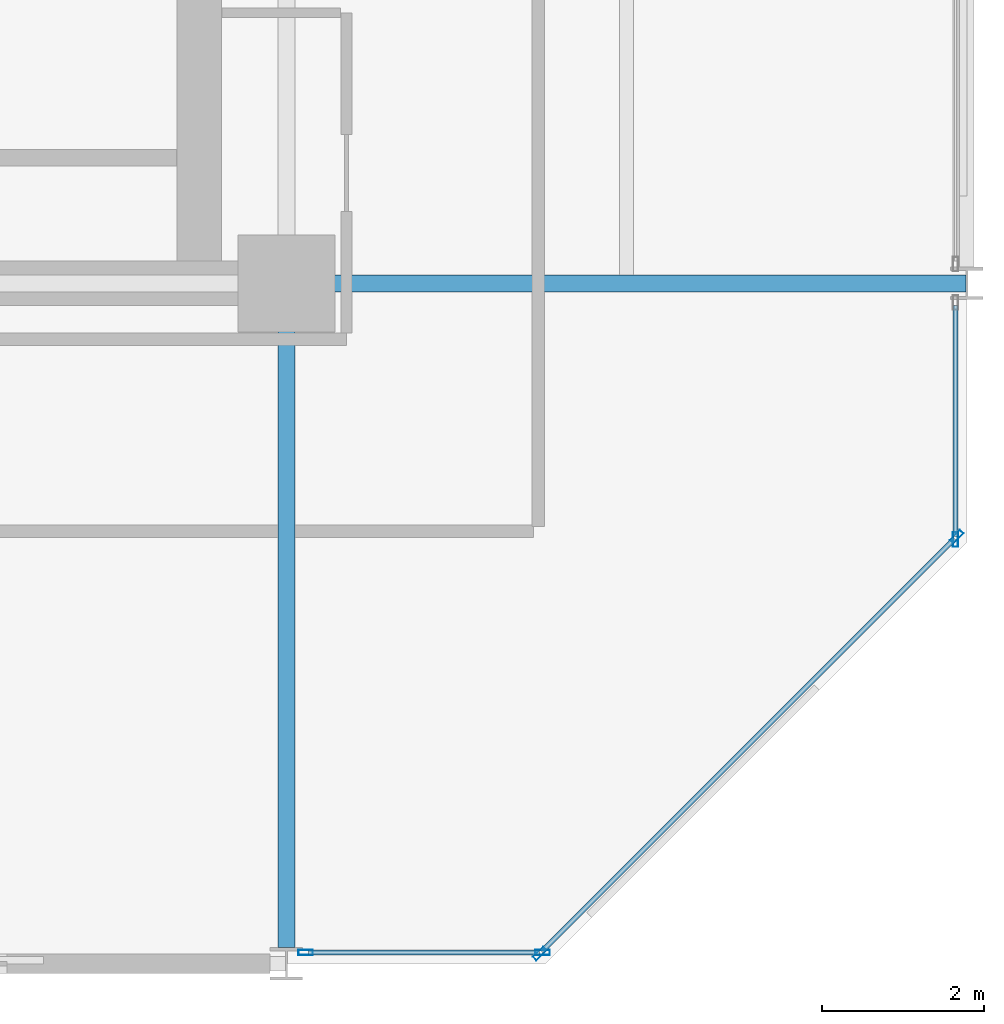
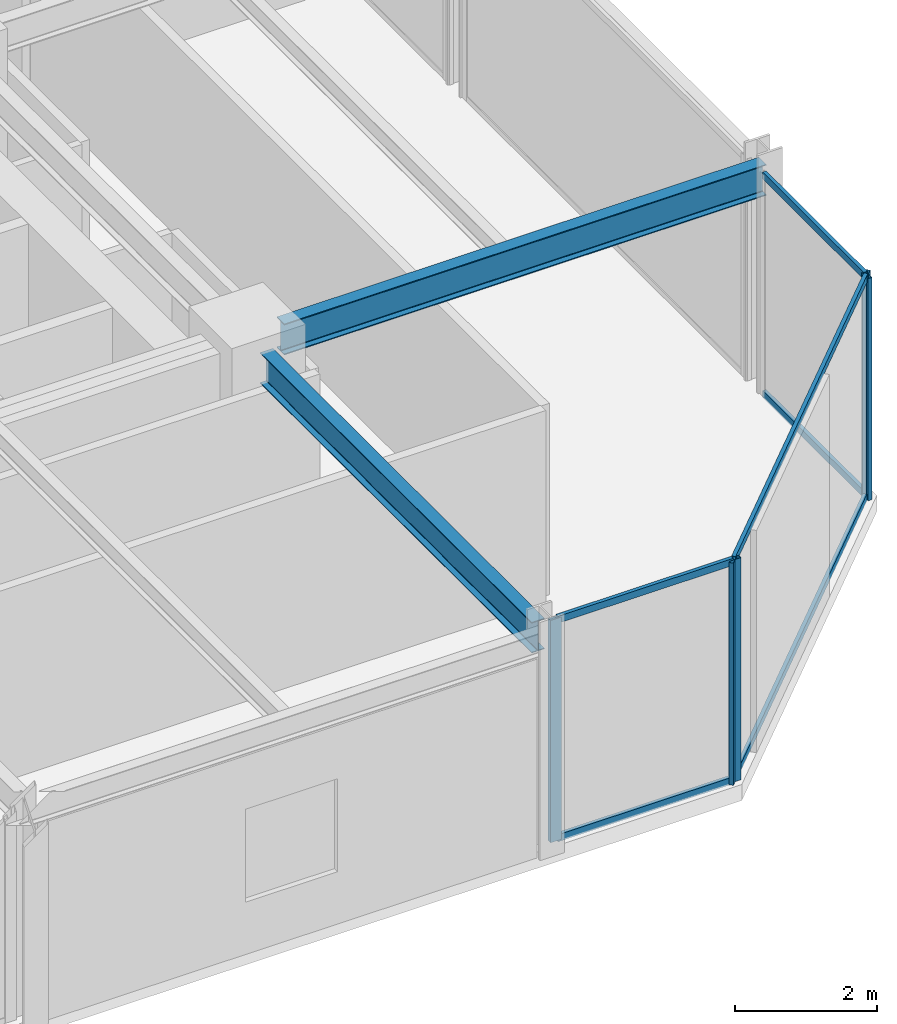
# One storey, part 13 of 29: 11 members, 2 beams, 3 elements without a shape of their own.
"""IFC4 building model written with IfcOpenShell, lengths in metres."""

from ifc_helpers import new_model, si_unit, direction, frame, origin, origin_2d, place, context, subcontext, project, spatial, hollow_rectangle, i_section, extrude, material, layer, layer_set, material_profile, profile_set, type_object, element, aggregate, save


model = new_model("IFC4")

# Units and contexts
model_context = context("Model", 3, precision=1e-05, world=origin(), true_north=direction((0.0, 1.0)))
body_context = subcontext(model_context, "Body", "Model", "MODEL_VIEW")
ifc_project = project(units=[si_unit("LENGTHUNIT", "METRE"), si_unit("AREAUNIT", "SQUARE_METRE"), si_unit("VOLUMEUNIT", "CUBIC_METRE"), si_unit("PLANEANGLEUNIT", "RADIAN"), si_unit("MASSUNIT", "GRAM", prefix="KILO")], contexts=[model_context])

# Site, building, storey
site_placement = place(None, origin())
site = spatial("IfcSite", under=ifc_project, at=site_placement, CompositionType="ELEMENT")
building_placement = place(site_placement, origin())
building = spatial("IfcBuilding", under=site, at=building_placement, Name="Nerrivon Quay Data Exchange", CompositionType="ELEMENT")
storey_placement = place(building_placement, frame((0.0, 0.0, 150.0)))
storey = spatial("IfcBuildingStorey", under=building, at=storey_placement, Name="L35", CompositionType="ELEMENT", Elevation=150.0)

# Beams
ifc_material_1 = material(Name="Steel Grade 350", Category="steel")
ifc_material_profile_1 = material_profile(ifc_material_1, i_section(OverallWidth=0.208984375, OverallDepth=0.532958984375, WebThickness=0.01025390625, FlangeThickness=0.015625, FilletRadius=0.013916015625, at=origin_2d()), Name="530UB92.4")
ifc_profile_set_1 = profile_set([ifc_material_profile_1], Name="Steel Grade 350")
beam_type_1 = type_object("IfcBeamType", Name="BM-G3-530UB92", PredefinedType="BEAM", material=ifc_profile_set_1)
beam_1_placement = place(storey_placement, frame((34.139892578125, 8.39990234375, 3.55859375), z_axis=(1.0, 0.0, 0.0), x_axis=(0.0, 1.0, 0.0)))
element("IfcBeam", 1, at=beam_1_placement, inside=storey, type_object=beam_type_1, Name="L35 EW Girder Y=8.4 (33.6..42.0)", PredefinedType="BEAM", context=body_context, shape_type="SweptSolid", body=[
    extrude(i_section(OverallWidth=0.208984375, OverallDepth=0.532958984375, WebThickness=0.01025390625, FlangeThickness=0.015625, FilletRadius=0.013916015625, at=origin_2d()), origin(), (0.0, 0.0, 1.0), 7.84765625),
])
ifc_material_profile_2 = material_profile(ifc_material_1, i_section(OverallWidth=0.208984375, OverallDepth=0.528076171875, WebThickness=0.009521484375, FlangeThickness=0.01318359375, FilletRadius=0.013916015625, at=origin_2d()), Name="530UB82.0")
ifc_profile_set_2 = profile_set([ifc_material_profile_2], Name="Steel Grade 350")
beam_type_2 = type_object("IfcBeamType", Name="BM-G4-530UB82", PredefinedType="BEAM", material=ifc_profile_set_2)
beam_2_placement = place(storey_placement, frame((33.60009765625, 0.199951171875, 3.56103515625), z_axis=(0.0, 1.0, 0.0), x_axis=(-1.0, 0.0, 0.0)))
element("IfcBeam", 2, at=beam_2_placement, inside=storey, type_object=beam_type_2, Name="L35 NS Girder X=33.6 (0.0..8.4)", PredefinedType="BEAM", context=body_context, shape_type="SweptSolid", body=[
    extrude(i_section(OverallWidth=0.208984375, OverallDepth=0.528076171875, WebThickness=0.009521484375, FlangeThickness=0.01318359375, FilletRadius=0.013916015625, at=origin_2d()), origin(), (0.0, 0.0, 1.0), 7.66015625),
])

# Curtain wall, members
ifc_material_2 = material(Name="Anodised aluminium 6063-T6", Category="aluminium")
ifc_layer = layer(ifc_material_2, 0.2099609375)
ifc_layer_set = layer_set([ifc_layer], Name="Anodised aluminium 6063-T6")
curtain_wall_type = type_object("IfcCurtainWallType", Name="CW-SYS-02", PredefinedType="NOTDEFINED", material=ifc_layer_set)
curtain_wall_1_placement = place(storey_placement, origin())
curtain_wall_1 = element("IfcCurtainWall", 3, at=curtain_wall_1_placement, inside=storey, type_object=curtain_wall_type, Name="L35 Unitised Curtain Wall 1", PredefinedType="NOTDEFINED")
ifc_material_profile_3 = material_profile(ifc_material_2, hollow_rectangle(XDim=0.06494140625, YDim=0.179931640625, WallThickness=0.00341796875, at=origin_2d()), Name="ALU-MULL-180x65")
ifc_profile_set_3 = profile_set([ifc_material_profile_3], Name="Anodised aluminium 6063-T6")
member_type_1 = type_object("IfcMemberType", Name="CWM-180x65", PredefinedType="MULLION", material=ifc_profile_set_3)
member_1_placement = place(storey_placement, frame((41.87451171875, 5.2724609375, 0.0), z_axis=(0.0, 0.0, 1.0), x_axis=(0.707106781187, -0.707106781187, 0.0)))
member_1 = element("IfcMember", 4, at=member_1_placement, type_object=member_type_1, Name="CW02 mullion 1", PredefinedType="MULLION", context=body_context, shape_type="SweptSolid", body=[
    extrude(hollow_rectangle(XDim=0.06494140625, YDim=0.179931640625, WallThickness=0.00341796875, at=origin_2d()), origin(), (0.0, 0.0, 1.0), 3.824951171875),
])
member_2_placement = place(storey_placement, frame((36.7275390625, 0.12548828125, 0.0), z_axis=(0.0, 0.0, 1.0), x_axis=(0.707106781187, -0.707106781187, 0.0)))
member_2 = element("IfcMember", 5, at=member_2_placement, type_object=member_type_1, Name="CW02 mullion 2", PredefinedType="MULLION", context=body_context, shape_type="SweptSolid", body=[
    extrude(hollow_rectangle(XDim=0.06494140625, YDim=0.179931640625, WallThickness=0.00341796875, at=origin_2d()), origin(), (0.0, 0.0, 1.0), 3.824951171875),
])

curtain_wall_2_placement = place(storey_placement, origin())
curtain_wall_2 = element("IfcCurtainWall", 6, at=curtain_wall_2_placement, inside=storey, type_object=curtain_wall_type, Name="L35 Unitised Curtain Wall 2", PredefinedType="NOTDEFINED")
member_3_placement = place(storey_placement, frame((36.762451171875, 0.139892578125, 0.0), z_axis=(0.0, 0.0, 1.0), x_axis=(0.0, -1.0, 0.0)))
member_3 = element("IfcMember", 7, at=member_3_placement, type_object=member_type_1, Name="CW02 mullion 1", PredefinedType="MULLION", context=body_context, shape_type="SweptSolid", body=[
    extrude(hollow_rectangle(XDim=0.06494140625, YDim=0.179931640625, WallThickness=0.00341796875, at=origin_2d()), origin(), (0.0, 0.0, 1.0), 3.824951171875),
])
member_4_placement = place(storey_placement, frame((33.83740234375, 0.139892578125, 0.0), z_axis=(0.0, 0.0, 1.0), x_axis=(0.0, -1.0, 0.0)))
member_4 = element("IfcMember", 8, at=member_4_placement, type_object=member_type_1, Name="CW02 mullion 2", PredefinedType="MULLION", context=body_context, shape_type="SweptSolid", body=[
    extrude(hollow_rectangle(XDim=0.06494140625, YDim=0.179931640625, WallThickness=0.00341796875, at=origin_2d()), origin(), (0.0, 0.0, 1.0), 3.824951171875),
])

# Curtain wall, member
curtain_wall_3_placement = place(storey_placement, origin())
curtain_wall_3 = element("IfcCurtainWall", 9, at=curtain_wall_3_placement, inside=storey, type_object=curtain_wall_type, Name="L35 Unitised Curtain Wall 30", PredefinedType="NOTDEFINED")
member_5_placement = place(storey_placement, frame((41.860107421875, 5.237548828125, 0.0), z_axis=(0.0, 0.0, 1.0), x_axis=(1.0, 0.0, 0.0)))
member_5 = element("IfcMember", 10, at=member_5_placement, type_object=member_type_1, Name="CW02 mullion 2", PredefinedType="MULLION", context=body_context, shape_type="SweptSolid", body=[
    extrude(hollow_rectangle(XDim=0.06494140625, YDim=0.179931640625, WallThickness=0.00341796875, at=origin_2d()), origin(), (0.0, 0.0, 1.0), 3.824951171875),
])

# Member
ifc_material_profile_4 = material_profile(ifc_material_2, hollow_rectangle(XDim=0.06005859375, YDim=0.1201171875, WallThickness=0.003173828125, at=origin_2d()), Name="ALU-TRAN-120x60")
ifc_profile_set_4 = profile_set([ifc_material_profile_4], Name="Anodised aluminium 6063-T6")
member_type_2 = type_object("IfcMemberType", Name="CWT-120x60", PredefinedType="USERDEFINED", material=ifc_profile_set_4)
member_6_placement = place(storey_placement, frame((41.847900390625, 5.245849609375, 0.032470703125), z_axis=(-0.707106781187, -0.707106781187, 0.0), x_axis=(0.707106781187, -0.707106781187, 0.0)))
member_6 = element("IfcMember", 11, at=member_6_placement, type_object=member_type_2, Name="CW02 transom 1.1", ObjectType="TRANSOM", PredefinedType="USERDEFINED", context=body_context, shape_type="SweptSolid", body=[
    extrude(hollow_rectangle(XDim=0.06005859375, YDim=0.1201171875, WallThickness=0.003173828125, at=origin_2d()), origin(), (0.0, 0.0, 1.0), 7.20361328125),
])

member_7_placement = place(storey_placement, frame((41.847900390625, 5.245849609375, 3.79248046875), z_axis=(-0.707106781187, -0.707106781187, 0.0), x_axis=(0.707106781187, -0.707106781187, 0.0)))
member_7 = element("IfcMember", 12, at=member_7_placement, type_object=member_type_2, Name="CW02 transom 1.2", ObjectType="TRANSOM", PredefinedType="USERDEFINED", context=body_context, shape_type="SweptSolid", body=[
    extrude(hollow_rectangle(XDim=0.06005859375, YDim=0.1201171875, WallThickness=0.003173828125, at=origin_2d()), origin(), (0.0, 0.0, 1.0), 7.20361328125),
])

aggregate(curtain_wall_1, [member_1, member_2, member_6, member_7])

member_8_placement = place(storey_placement, frame((36.72509765625, 0.139892578125, 0.032470703125), z_axis=(-1.0, 0.0, 0.0), x_axis=(0.0, -1.0, 0.0)))
member_8 = element("IfcMember", 13, at=member_8_placement, type_object=member_type_2, Name="CW02 transom 1.1", ObjectType="TRANSOM", PredefinedType="USERDEFINED", context=body_context, shape_type="SweptSolid", body=[
    extrude(hollow_rectangle(XDim=0.06005859375, YDim=0.1201171875, WallThickness=0.003173828125, at=origin_2d()), origin(), (0.0, 0.0, 1.0), 2.85009765625),
])

member_9_placement = place(storey_placement, frame((36.72509765625, 0.139892578125, 3.79248046875), z_axis=(-1.0, 0.0, 0.0), x_axis=(0.0, -1.0, 0.0)))
member_9 = element("IfcMember", 14, at=member_9_placement, type_object=member_type_2, Name="CW02 transom 1.2", ObjectType="TRANSOM", PredefinedType="USERDEFINED", context=body_context, shape_type="SweptSolid", body=[
    extrude(hollow_rectangle(XDim=0.06005859375, YDim=0.1201171875, WallThickness=0.003173828125, at=origin_2d()), origin(), (0.0, 0.0, 1.0), 2.85009765625),
])

aggregate(curtain_wall_2, [member_3, member_4, member_8, member_9])

member_10_placement = place(storey_placement, frame((41.860107421875, 8.125, 0.032470703125), z_axis=(0.0, -1.0, 0.0), x_axis=(1.0, 0.0, 0.0)))
member_10 = element("IfcMember", 15, at=member_10_placement, type_object=member_type_2, Name="CW02 transom 1.1", ObjectType="TRANSOM", PredefinedType="USERDEFINED", context=body_context, shape_type="SweptSolid", body=[
    extrude(hollow_rectangle(XDim=0.06005859375, YDim=0.1201171875, WallThickness=0.003173828125, at=origin_2d()), origin(), (0.0, 0.0, 1.0), 2.85009765625),
])

member_11_placement = place(storey_placement, frame((41.860107421875, 8.125, 3.79248046875), z_axis=(0.0, -1.0, 0.0), x_axis=(1.0, 0.0, 0.0)))
member_11 = element("IfcMember", 16, at=member_11_placement, type_object=member_type_2, Name="CW02 transom 1.2", ObjectType="TRANSOM", PredefinedType="USERDEFINED", context=body_context, shape_type="SweptSolid", body=[
    extrude(hollow_rectangle(XDim=0.06005859375, YDim=0.1201171875, WallThickness=0.003173828125, at=origin_2d()), origin(), (0.0, 0.0, 1.0), 2.85009765625),
])

aggregate(curtain_wall_3, [member_5, member_10, member_11])

save(model, "model.ifc")
